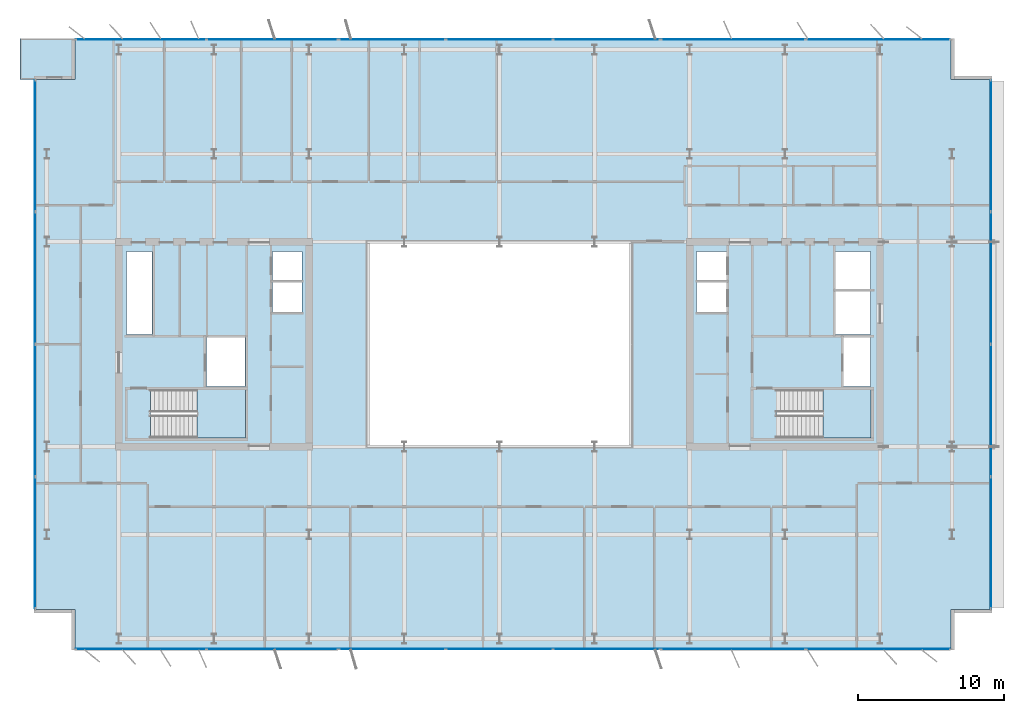
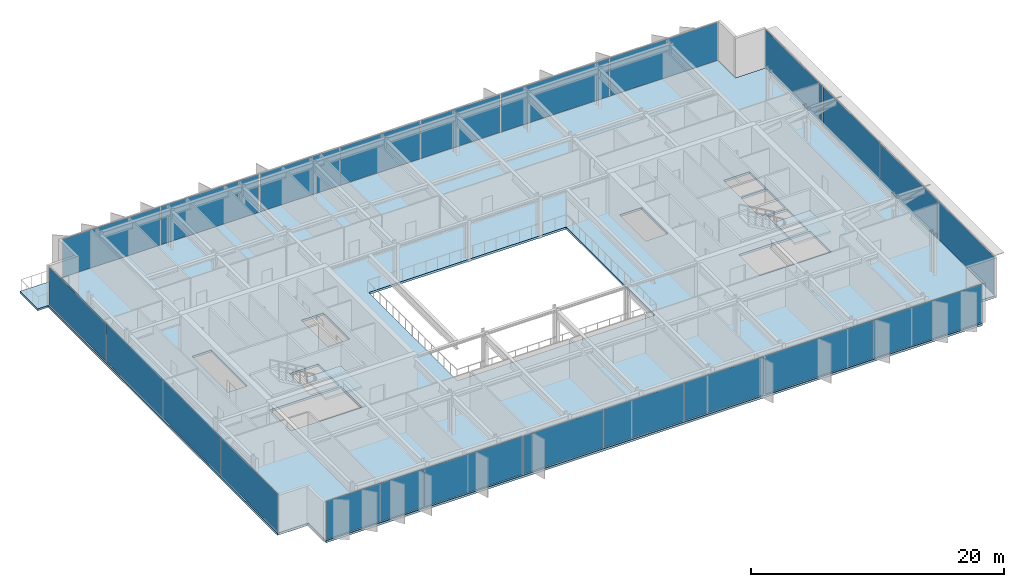
# One storey, part 11 of 20: 22 plates, 4 slabs, 10 elements without a shape of their own.
"""IFC4 building model written with IfcOpenShell, lengths in metres."""

import ifcopenshell
import ifcopenshell.guid

model = None  # the IFC model being written
_history = None  # IfcOwnerHistory: only IFC2X3 demands one
_inside = {}  # id of a spatial element -> (the spatial element, [elements in it])
_under = {}  # id of a project, library or spatial element -> (it, [spatial elements below it])
_declared = {}  # id of a project -> (the project, [libraries it declares])
_typed = {}  # id of a type object -> (the type object, [elements of that type])
_made_of = {}  # id of a material, layer set ... -> (it, [elements and type objects made of it])


def new_model(schema):
    """Start an empty IFC model of exactly this schema.

    Asked for "IFC4X3", IfcOpenShell would pick the latest addendum, in which some entities
    have other attributes; the version numbers below select the first issue.
    IFC2X3 requires an IfcOwnerHistory on every rooted entity: one is made here for all.
    """
    global model, _history
    if schema == "IFC4X3":
        model = ifcopenshell.file(schema_version=(4, 3, 0, 0))
    else:
        model = ifcopenshell.file(schema=schema)
    _inside.clear()
    _under.clear()
    _declared.clear()
    _typed.clear()
    _made_of.clear()
    _history = None
    if model.schema == "IFC2X3":
        org = make("IfcOrganization", Name="unknown")
        user = make(
            "IfcPersonAndOrganization",
            ThePerson=make("IfcPerson", FamilyName="unknown"),
            TheOrganization=org,
        )
        app = make(
            "IfcApplication",
            ApplicationDeveloper=org,
            Version="unknown",
            ApplicationFullName="unknown",
            ApplicationIdentifier="unknown",
        )
        _history = make(
            "IfcOwnerHistory",
            OwningUser=user,
            OwningApplication=app,
            ChangeAction="ADDED",
            CreationDate=0,
        )
    return model


def make(cls, **values):
    """One entity of the class cls with the attributes given. An attribute that is None is left unset."""
    return model.create_entity(
        cls, **{name: value for name, value in values.items() if value is not None}
    )


def rooted(cls, **values):
    """An entity with a GlobalId (a new one), such as an element, a storey or a relation."""
    return make(cls, GlobalId=ifcopenshell.guid.new(), OwnerHistory=_history, **values)


def si_unit(unit_type, name, prefix=None):
    """IfcSIUnit, for example si_unit("LENGTHUNIT", "METRE", prefix="MILLI")."""
    return make("IfcSIUnit", UnitType=unit_type, Prefix=prefix, Name=name)


def assignment(units):
    """IfcUnitAssignment: the units of a project."""
    return None if units is None else make("IfcUnitAssignment", Units=units)


def point(xyz):
    """IfcCartesianPoint."""
    return None if xyz is None else make("IfcCartesianPoint", Coordinates=xyz)


def direction(xyz):
    """IfcDirection."""
    return None if xyz is None else make("IfcDirection", DirectionRatios=xyz)


def frame(location, z_axis=None, x_axis=None):
    """IfcAxis2Placement3D, a coordinate frame: its origin and axes. An axis left out is left unset."""
    return make(
        "IfcAxis2Placement3D",
        Location=point(location),
        Axis=direction(z_axis),
        RefDirection=direction(x_axis),
    )


def frame_2d(location, x_axis=None):
    """IfcAxis2Placement2D, a coordinate frame in the plane: its origin and x axis."""
    return make(
        "IfcAxis2Placement2D", Location=point(location), RefDirection=direction(x_axis)
    )


def origin():
    """The frame at (0, 0, 0) with its axes left unset."""
    return frame((0.0, 0.0, 0.0))


def origin_2d():
    """The frame at (0, 0) in the plane with its x axis left unset."""
    return frame_2d((0.0, 0.0))


def place(relative_to, where):
    """IfcLocalPlacement: puts the frame where relative to a parent placement (None: the world)."""
    return make(
        "IfcLocalPlacement", PlacementRelTo=relative_to, RelativePlacement=where
    )


def context(
    kind, dimensions, precision=None, world=None, true_north=None, identifier=None
):
    """IfcGeometricRepresentationContext, for example the 3D "Model" context."""
    return make(
        "IfcGeometricRepresentationContext",
        ContextIdentifier=identifier,
        ContextType=kind,
        CoordinateSpaceDimension=dimensions,
        Precision=precision,
        WorldCoordinateSystem=world,
        TrueNorth=true_north,
    )


def subcontext(parent, identifier, kind, view, scale=None):
    """IfcGeometricRepresentationSubContext, for example "Body" below "Model"."""
    return make(
        "IfcGeometricRepresentationSubContext",
        ContextIdentifier=identifier,
        ContextType=kind,
        ParentContext=parent,
        TargetScale=scale,
        TargetView=view,
    )


def project(units=None, contexts=None):
    """IfcProject with its units and contexts."""
    return rooted(
        "IfcProject",
        Name="project",
        RepresentationContexts=contexts,
        UnitsInContext=assignment(units),
    )


def spatial(cls, under=None, at=None, **own):
    """A site, building, storey or space (cls), placed at a placement, below another one or the project."""
    s = rooted(cls, ObjectPlacement=at, **own)
    if under is not None:
        _under.setdefault(under.id(), (under, []))[1].append(s)
    return s


def polyline(points):
    """IfcPolyline through the points."""
    return make("IfcPolyline", Points=[point(p) for p in points])


def profile(cls, at=None, kind="AREA", **sizes):
    """A parametric profile (cls). Its sizes go by their IFC names, for example OverallWidth=200.0."""
    return make(cls, ProfileType=kind, Position=at, **sizes)


def rectangle(**sizes):
    """IfcRectangleProfileDef."""
    return profile("IfcRectangleProfileDef", **sizes)


def outline(outer, holes=None, kind="AREA"):
    """IfcArbitraryClosedProfileDef: a profile drawn as a closed curve; with holes, ...WithVoids."""
    if holes is None:
        return make("IfcArbitraryClosedProfileDef", ProfileType=kind, OuterCurve=outer)
    return make(
        "IfcArbitraryProfileDefWithVoids",
        ProfileType=kind,
        OuterCurve=outer,
        InnerCurves=holes,
    )


def extrude(swept, where, along, depth):
    """IfcExtrudedAreaSolid: the profile swept, set in the frame where, extruded along a direction by depth."""
    return make(
        "IfcExtrudedAreaSolid",
        SweptArea=swept,
        Position=where,
        ExtrudedDirection=direction(along),
        Depth=depth,
    )


def shape(context_of_items, identifier, shape_type, items):
    """IfcShapeRepresentation: the items that make up one representation, for example the "Body"."""
    return make(
        "IfcShapeRepresentation",
        ContextOfItems=context_of_items,
        RepresentationIdentifier=identifier,
        RepresentationType=shape_type,
        Items=items,
    )


def material(Name=None, Category=None):
    """IfcMaterial."""
    return make("IfcMaterial", Name=Name, Category=Category)


def layer(
    of_material, thickness, ventilated=None, Name=None, Category=None, Priority=None
):
    """IfcMaterialLayer: one layer of a wall or slab, of a material (None: an air gap)."""
    return make(
        "IfcMaterialLayer",
        Material=of_material,
        LayerThickness=thickness,
        IsVentilated=ventilated,
        Name=Name,
        Category=Category,
        Priority=Priority,
    )


def layer_set(layers, Name=None):
    """IfcMaterialLayerSet."""
    return make("IfcMaterialLayerSet", MaterialLayers=layers, LayerSetName=Name)


def made_of(thing, what):
    """Note that an element or type object is made of a material, layer set ...; save() writes the relation."""
    if what is not None:
        _made_of.setdefault(what.id(), (what, []))[1].append(thing)
    return thing


def type_object(cls, material=None, **own):
    """A type object (cls), such as IfcWallType, which elements share."""
    return made_of(rooted(cls, **own), material)


def element(
    cls,
    number,
    at=None,
    inside=None,
    cuts=None,
    type_object=None,
    material=None,
    context=None,
    identifier="Body",
    shape_type=None,
    held_by="IfcProductDefinitionShape",
    body=None,
    shapes=None,
    **own,
):
    """One element of the class cls, such as IfcWall. Its Tag is "e" and its number.

    at: its placement. inside: the storey or other place that contains it. cuts: it is an
    opening in that element (IfcRelVoidsElement). A single representation is given by context,
    identifier, shape_type and body (its items); several are given by shapes. held_by: the class
    of the entity that holds the representations. save() writes the other relations.
    """
    e = rooted(cls, Tag="e%d" % number, ObjectPlacement=at, **own)
    if body is not None:
        shapes = [shape(context, identifier, shape_type, body)]
    if shapes is not None:
        e.Representation = make(held_by, Representations=shapes)
    if inside is not None:
        _inside.setdefault(inside.id(), (inside, []))[1].append(e)
    if cuts is not None:
        rooted(
            "IfcRelVoidsElement", RelatingBuildingElement=cuts, RelatedOpeningElement=e
        )
    if type_object is not None:
        _typed.setdefault(type_object.id(), (type_object, []))[1].append(e)
    return made_of(e, material)


def aggregate(whole, parts):
    """IfcRelAggregates: a whole, such as a stair, and the parts it consists of."""
    return rooted("IfcRelAggregates", RelatingObject=whole, RelatedObjects=parts)


def save(model, path):
    """Write the relations noted so far, then the file.

    IfcRelAggregates (storeys below a building ...), IfcRelContainedInSpatialStructure (elements
    in a storey), IfcRelDefinesByType, IfcRelAssociatesMaterial and IfcRelDeclares: one each for
    every whole, place, type object, material and project.
    """
    for whole, parts in _under.values():
        aggregate(whole, parts)
    for where, things in _inside.values():
        rooted(
            "IfcRelContainedInSpatialStructure",
            RelatedElements=things,
            RelatingStructure=where,
        )
    for kind, things in _typed.values():
        rooted("IfcRelDefinesByType", RelatedObjects=things, RelatingType=kind)
    for what, things in _made_of.values():
        rooted("IfcRelAssociatesMaterial", RelatedObjects=things, RelatingMaterial=what)
    for by, libraries in _declared.values():
        rooted("IfcRelDeclares", RelatingContext=by, RelatedDefinitions=libraries)
    model.write(path)


model = new_model("IFC4")

# Units and contexts
model_context = context("Model", 3, precision=1e-05, world=origin(), true_north=direction((0.0, 1.0)))
body_context = subcontext(model_context, "Body", "Model", "MODEL_VIEW")
ifc_project = project(units=[si_unit("LENGTHUNIT", "METRE"), si_unit("AREAUNIT", "SQUARE_METRE"), si_unit("VOLUMEUNIT", "CUBIC_METRE"), si_unit("PLANEANGLEUNIT", "RADIAN"), si_unit("MASSUNIT", "GRAM", prefix="KILO")], contexts=[model_context])

# Site, building, storey
site_placement = place(None, origin())
site = spatial("IfcSite", under=ifc_project, at=site_placement, CompositionType="ELEMENT")
building_placement = place(site_placement, origin())
building = spatial("IfcBuilding", under=site, at=building_placement, Name="Putna Gate Headquarters", CompositionType="ELEMENT")
storey_placement = place(building_placement, frame((0.0, 0.0, 282.39990234375)))
storey = spatial("IfcBuildingStorey", under=building, at=storey_placement, Name="L71", CompositionType="ELEMENT", Elevation=282.39990234375)

# Stair, slab
ifc_material_1 = material(Name="Concrete C40/50", Category="concrete")
stair_type_1 = type_object("IfcStairType", Name="STAIR-ST1", PredefinedType="HALF_TURN_STAIR", material=ifc_material_1)
stair_1_placement = place(storey_placement, origin())
stair_1 = element("IfcStair", 1, at=stair_1_placement, inside=storey, type_object=stair_type_1, Name="L71 West Core Exit Stair ST1", PredefinedType="HALF_TURN_STAIR")
ifc_layer_1 = layer(ifc_material_1, 0.199951171875)
ifc_layer_set_1 = layer_set([ifc_layer_1], Name="Concrete C40/50")
slab_type_1 = type_object("IfcSlabType", Name="LANDING-ST1", PredefinedType="LANDING", material=ifc_layer_set_1)
slab_1_placement = place(storey_placement, frame((0.0, 0.0, 1.800048828125)))
slab_1 = element("IfcSlab", 2, at=slab_1_placement, type_object=slab_type_1, Name="ST1 landing 1", PredefinedType="LANDING", context=body_context, shape_type="SweptSolid", body=[
    extrude(outline(polyline([(18.340087890625, 19.60009765625), (21.64990234375, 19.60009765625), (21.64990234375, 22.89990234375), (18.340087890625, 22.89990234375), (18.340087890625, 19.60009765625)])), origin(), (0.0, 0.0, 1.0), 0.199951171875),
])
aggregate(stair_1, [slab_1])

stair_type_2 = type_object("IfcStairType", Name="STAIR-ST2", PredefinedType="HALF_TURN_STAIR", material=ifc_material_1)
stair_2_placement = place(storey_placement, origin())
stair_2 = element("IfcStair", 3, at=stair_2_placement, inside=storey, type_object=stair_type_2, Name="L71 East Core Exit Stair ST2", PredefinedType="HALF_TURN_STAIR")
ifc_layer_2 = layer(ifc_material_1, 0.199951171875)
ifc_layer_set_2 = layer_set([ifc_layer_2], Name="Concrete C40/50")
slab_type_2 = type_object("IfcSlabType", Name="LANDING-ST2", PredefinedType="LANDING", material=ifc_layer_set_2)
slab_2_placement = place(storey_placement, frame((0.0, 0.0, 1.800048828125)))
slab_2 = element("IfcSlab", 4, at=slab_2_placement, type_object=slab_type_2, Name="ST2 landing 1", PredefinedType="LANDING", context=body_context, shape_type="SweptSolid", body=[
    extrude(outline(polyline([(61.090087890625, 19.60009765625), (64.39990234375, 19.60009765625), (64.39990234375, 22.89990234375), (61.090087890625, 22.89990234375), (61.090087890625, 19.60009765625)])), origin(), (0.0, 0.0, 1.0), 0.199951171875),
])
aggregate(stair_2, [slab_2])

# Curtain wall, plates
ifc_material_2 = material(Name="Anodised bronze aluminium curtain wall", Category="aluminium")
ifc_layer_3 = layer(ifc_material_2, 0.179931640625)
ifc_layer_set_3 = layer_set([ifc_layer_3], Name="Anodised bronze aluminium curtain wall")
curtain_wall_type_1 = type_object("IfcCurtainWallType", Name="CW-SYS-Z5", PredefinedType="USERDEFINED", material=ifc_layer_set_3)
curtain_wall_1_placement = place(storey_placement, origin())
curtain_wall_1 = element("IfcCurtainWall", 5, at=curtain_wall_1_placement, inside=storey, type_object=curtain_wall_type_1, Name="L71 South West Curtain Wall", ObjectType="STICK CURTAIN WALL", PredefinedType="USERDEFINED")
ifc_material_3 = material(Name="Solar-control triple low-E glass", Category="glass")
ifc_layer_4 = layer(ifc_material_3, 0.033935546875)
ifc_layer_set_4 = layer_set([ifc_layer_4], Name="Solar-control triple low-E glass")
plate_type_1 = type_object("IfcPlateType", Name="PAN-CWP-5", PredefinedType="CURTAIN_PANEL", material=ifc_layer_set_4)
plate_1_placement = place(storey_placement, frame((14.517578125, 5.179931640625, 0.06005859375), z_axis=(0.0, 0.0, 1.0), x_axis=(1.0, 0.0, 0.0)))
plate_1 = element("IfcPlate", 6, at=plate_1_placement, type_object=plate_type_1, Name="CWS-5 panel 1.1", PredefinedType="CURTAIN_PANEL", context=body_context, shape_type="SweptSolid", body=[
    extrude(rectangle(XDim=8.89501953125, YDim=0.033935546875, at=origin_2d()), origin(), (0.0, 0.0, 1.0), 3.66796875),
])
plate_2_placement = place(storey_placement, frame((23.482421875, 5.179931640625, 0.06005859375), z_axis=(0.0, 0.0, 1.0), x_axis=(1.0, 0.0, 0.0)))
plate_2 = element("IfcPlate", 7, at=plate_2_placement, type_object=plate_type_1, Name="CWS-5 panel 2.1", PredefinedType="CURTAIN_PANEL", context=body_context, shape_type="SweptSolid", body=[
    extrude(rectangle(XDim=8.89501953125, YDim=0.033935546875, at=origin_2d()), origin(), (0.0, 0.0, 1.0), 3.66796875),
])
aggregate(curtain_wall_1, [plate_1, plate_2])

curtain_wall_2_placement = place(storey_placement, origin())
curtain_wall_2 = element("IfcCurtainWall", 8, at=curtain_wall_2_placement, inside=storey, type_object=curtain_wall_type_1, Name="L71 South East Curtain Wall", ObjectType="STICK CURTAIN WALL", PredefinedType="USERDEFINED")
plate_3_placement = place(storey_placement, frame((54.979736328125, 5.179931640625, 0.06005859375), z_axis=(0.0, 0.0, 1.0), x_axis=(1.0, 0.0, 0.0)))
plate_3 = element("IfcPlate", 9, at=plate_3_placement, type_object=plate_type_1, Name="CWS-5 panel 1.1", PredefinedType="CURTAIN_PANEL", context=body_context, shape_type="SweptSolid", body=[
    extrude(rectangle(XDim=9.8193359375, YDim=0.033935546875, at=origin_2d()), origin(), (0.0, 0.0, 1.0), 3.66796875),
])
plate_4_placement = place(storey_placement, frame((64.869140625, 5.179931640625, 0.06005859375), z_axis=(0.0, 0.0, 1.0), x_axis=(1.0, 0.0, 0.0)))
plate_4 = element("IfcPlate", 10, at=plate_4_placement, type_object=plate_type_1, Name="CWS-5 panel 2.1", PredefinedType="CURTAIN_PANEL", context=body_context, shape_type="SweptSolid", body=[
    extrude(rectangle(XDim=9.8193359375, YDim=0.033935546875, at=origin_2d()), origin(), (0.0, 0.0, 1.0), 3.66796875),
])
aggregate(curtain_wall_2, [plate_3, plate_4])

curtain_wall_3_placement = place(storey_placement, origin())
curtain_wall_3 = element("IfcCurtainWall", 11, at=curtain_wall_3_placement, inside=storey, type_object=curtain_wall_type_1, Name="L71 North West Curtain Wall", ObjectType="STICK CURTAIN WALL", PredefinedType="USERDEFINED")
plate_5_placement = place(storey_placement, frame((14.517578125, 46.820068359375, 0.06005859375), z_axis=(0.0, 0.0, 1.0), x_axis=(1.0, 0.0, 0.0)))
plate_5 = element("IfcPlate", 12, at=plate_5_placement, type_object=plate_type_1, Name="CWS-5 panel 1.1", PredefinedType="CURTAIN_PANEL", context=body_context, shape_type="SweptSolid", body=[
    extrude(rectangle(XDim=8.89501953125, YDim=0.033935546875, at=origin_2d()), origin(), (0.0, 0.0, 1.0), 3.66796875),
])
plate_6_placement = place(storey_placement, frame((23.482421875, 46.820068359375, 0.06005859375), z_axis=(0.0, 0.0, 1.0), x_axis=(1.0, 0.0, 0.0)))
plate_6 = element("IfcPlate", 13, at=plate_6_placement, type_object=plate_type_1, Name="CWS-5 panel 2.1", PredefinedType="CURTAIN_PANEL", context=body_context, shape_type="SweptSolid", body=[
    extrude(rectangle(XDim=8.89501953125, YDim=0.033935546875, at=origin_2d()), origin(), (0.0, 0.0, 1.0), 3.66796875),
])
aggregate(curtain_wall_3, [plate_5, plate_6])

curtain_wall_4_placement = place(storey_placement, origin())
curtain_wall_4 = element("IfcCurtainWall", 14, at=curtain_wall_4_placement, inside=storey, type_object=curtain_wall_type_1, Name="L71 North East Curtain Wall", ObjectType="STICK CURTAIN WALL", PredefinedType="USERDEFINED")
plate_7_placement = place(storey_placement, frame((54.979736328125, 46.820068359375, 0.06005859375), z_axis=(0.0, 0.0, 1.0), x_axis=(1.0, 0.0, 0.0)))
plate_7 = element("IfcPlate", 15, at=plate_7_placement, type_object=plate_type_1, Name="CWS-5 panel 1.1", PredefinedType="CURTAIN_PANEL", context=body_context, shape_type="SweptSolid", body=[
    extrude(rectangle(XDim=9.8193359375, YDim=0.033935546875, at=origin_2d()), origin(), (0.0, 0.0, 1.0), 3.66796875),
])
plate_8_placement = place(storey_placement, frame((64.869140625, 46.820068359375, 0.06005859375), z_axis=(0.0, 0.0, 1.0), x_axis=(1.0, 0.0, 0.0)))
plate_8 = element("IfcPlate", 16, at=plate_8_placement, type_object=plate_type_1, Name="CWS-5 panel 2.1", PredefinedType="CURTAIN_PANEL", context=body_context, shape_type="SweptSolid", body=[
    extrude(rectangle(XDim=9.8193359375, YDim=0.033935546875, at=origin_2d()), origin(), (0.0, 0.0, 1.0), 3.66796875),
])
aggregate(curtain_wall_4, [plate_7, plate_8])

curtain_wall_5_placement = place(storey_placement, origin())
curtain_wall_5 = element("IfcCurtainWall", 17, at=curtain_wall_5_placement, inside=storey, type_object=curtain_wall_type_1, Name="L71 West Curtain Wall", ObjectType="STICK CURTAIN WALL", PredefinedType="USERDEFINED")
plate_9_placement = place(storey_placement, frame((7.280029296875, 12.4423828125, 0.06005859375), z_axis=(0.0, 0.0, 1.0), x_axis=(0.0, 1.0, 0.0)))
plate_9 = element("IfcPlate", 18, at=plate_9_placement, type_object=plate_type_1, Name="CWS-5 panel 1.1", PredefinedType="CURTAIN_PANEL", context=body_context, shape_type="SweptSolid", body=[
    extrude(rectangle(XDim=8.945068359375, YDim=0.033935546875, at=origin_2d()), origin(), (0.0, 0.0, 1.0), 3.66796875),
])
plate_10_placement = place(storey_placement, frame((7.280029296875, 21.47509765625, 0.06005859375), z_axis=(0.0, 0.0, 1.0), x_axis=(0.0, 1.0, 0.0)))
plate_10 = element("IfcPlate", 19, at=plate_10_placement, type_object=plate_type_1, Name="CWS-5 panel 2.1", PredefinedType="CURTAIN_PANEL", context=body_context, shape_type="SweptSolid", body=[
    extrude(rectangle(XDim=8.97998046875, YDim=0.033935546875, at=origin_2d()), origin(), (0.0, 0.0, 1.0), 3.66796875),
])
plate_11_placement = place(storey_placement, frame((7.280029296875, 30.52490234375, 0.06005859375), z_axis=(0.0, 0.0, 1.0), x_axis=(0.0, 1.0, 0.0)))
plate_11 = element("IfcPlate", 20, at=plate_11_placement, type_object=plate_type_1, Name="CWS-5 panel 3.1", PredefinedType="CURTAIN_PANEL", context=body_context, shape_type="SweptSolid", body=[
    extrude(rectangle(XDim=8.97998046875, YDim=0.033935546875, at=origin_2d()), origin(), (0.0, 0.0, 1.0), 3.66796875),
])
plate_12_placement = place(storey_placement, frame((7.280029296875, 39.5576171875, 0.06005859375), z_axis=(0.0, 0.0, 1.0), x_axis=(0.0, 1.0, 0.0)))
plate_12 = element("IfcPlate", 21, at=plate_12_placement, type_object=plate_type_1, Name="CWS-5 panel 4.1", PredefinedType="CURTAIN_PANEL", context=body_context, shape_type="SweptSolid", body=[
    extrude(rectangle(XDim=8.945068359375, YDim=0.033935546875, at=origin_2d()), origin(), (0.0, 0.0, 1.0), 3.66796875),
])
aggregate(curtain_wall_5, [plate_9, plate_10, plate_11, plate_12])

curtain_wall_6_placement = place(storey_placement, origin())
curtain_wall_6 = element("IfcCurtainWall", 22, at=curtain_wall_6_placement, inside=storey, type_object=curtain_wall_type_1, Name="L71 East Curtain Wall", ObjectType="STICK CURTAIN WALL", PredefinedType="USERDEFINED")
plate_13_placement = place(storey_placement, frame((72.56884765625, 12.4423828125, 0.06005859375), z_axis=(0.0, 0.0, 1.0), x_axis=(0.0, 1.0, 0.0)))
plate_13 = element("IfcPlate", 23, at=plate_13_placement, type_object=plate_type_1, Name="CWS-5 panel 1.1", PredefinedType="CURTAIN_PANEL", context=body_context, shape_type="SweptSolid", body=[
    extrude(rectangle(XDim=8.945068359375, YDim=0.033935546875, at=origin_2d()), origin(), (0.0, 0.0, 1.0), 3.66796875),
])
plate_14_placement = place(storey_placement, frame((72.56884765625, 21.47509765625, 0.06005859375), z_axis=(0.0, 0.0, 1.0), x_axis=(0.0, 1.0, 0.0)))
plate_14 = element("IfcPlate", 24, at=plate_14_placement, type_object=plate_type_1, Name="CWS-5 panel 2.1", PredefinedType="CURTAIN_PANEL", context=body_context, shape_type="SweptSolid", body=[
    extrude(rectangle(XDim=8.97998046875, YDim=0.033935546875, at=origin_2d()), origin(), (0.0, 0.0, 1.0), 3.66796875),
])
plate_15_placement = place(storey_placement, frame((72.56884765625, 30.52490234375, 0.06005859375), z_axis=(0.0, 0.0, 1.0), x_axis=(0.0, 1.0, 0.0)))
plate_15 = element("IfcPlate", 25, at=plate_15_placement, type_object=plate_type_1, Name="CWS-5 panel 3.1", PredefinedType="CURTAIN_PANEL", context=body_context, shape_type="SweptSolid", body=[
    extrude(rectangle(XDim=8.97998046875, YDim=0.033935546875, at=origin_2d()), origin(), (0.0, 0.0, 1.0), 3.66796875),
])
plate_16_placement = place(storey_placement, frame((72.56884765625, 39.5576171875, 0.06005859375), z_axis=(0.0, 0.0, 1.0), x_axis=(0.0, 1.0, 0.0)))
plate_16 = element("IfcPlate", 26, at=plate_16_placement, type_object=plate_type_1, Name="CWS-5 panel 4.1", PredefinedType="CURTAIN_PANEL", context=body_context, shape_type="SweptSolid", body=[
    extrude(rectangle(XDim=8.945068359375, YDim=0.033935546875, at=origin_2d()), origin(), (0.0, 0.0, 1.0), 3.66796875),
])
aggregate(curtain_wall_6, [plate_13, plate_14, plate_15, plate_16])

ifc_layer_5 = layer(ifc_material_2, 0.179931640625)
ifc_layer_set_5 = layer_set([ifc_layer_5], Name="Anodised bronze aluminium curtain wall")
curtain_wall_type_2 = type_object("IfcCurtainWallType", Name="CW-SYS-ATR", PredefinedType="USERDEFINED", material=ifc_layer_set_5)
curtain_wall_7_placement = place(storey_placement, origin())
curtain_wall_7 = element("IfcCurtainWall", 27, at=curtain_wall_7_placement, inside=storey, type_object=curtain_wall_type_2, Name="L71 South Atrium Clear Glazing", ObjectType="ATRIUM GLAZING", PredefinedType="USERDEFINED")
ifc_material_4 = material(Name="Clear low-iron triple glazing", Category="glass")
ifc_layer_6 = layer(ifc_material_4, 0.0400390625)
ifc_layer_set_6 = layer_set([ifc_layer_6], Name="Clear low-iron triple glazing")
plate_type_2 = type_object("IfcPlateType", Name="PAN-CWP-AT", PredefinedType="CURTAIN_PANEL", material=ifc_layer_set_6)
plate_17_placement = place(storey_placement, frame((31.68408203125, 5.179931640625, 0.070068359375), z_axis=(0.0, 0.0, 1.0), x_axis=(1.0, 0.0, 0.0)))
plate_17 = element("IfcPlate", 28, at=plate_17_placement, type_object=plate_type_2, Name="CWS-AT panel 1.1", PredefinedType="CURTAIN_PANEL", context=body_context, shape_type="SweptSolid", body=[
    extrude(rectangle(XDim=7.228271484375, YDim=0.0400390625, at=origin_2d()), origin(), (0.0, 0.0, 1.0), 3.64794921875),
])
plate_18_placement = place(storey_placement, frame((39.0, 5.179931640625, 0.070068359375), z_axis=(0.0, 0.0, 1.0), x_axis=(1.0, 0.0, 0.0)))
plate_18 = element("IfcPlate", 29, at=plate_18_placement, type_object=plate_type_2, Name="CWS-AT panel 2.1", PredefinedType="CURTAIN_PANEL", context=body_context, shape_type="SweptSolid", body=[
    extrude(rectangle(XDim=7.263427734375, YDim=0.0400390625, at=origin_2d()), origin(), (0.0, 0.0, 1.0), 3.64794921875),
])
plate_19_placement = place(storey_placement, frame((46.31591796875, 5.179931640625, 0.070068359375), z_axis=(0.0, 0.0, 1.0), x_axis=(1.0, 0.0, 0.0)))
plate_19 = element("IfcPlate", 30, at=plate_19_placement, type_object=plate_type_2, Name="CWS-AT panel 3.1", PredefinedType="CURTAIN_PANEL", context=body_context, shape_type="SweptSolid", body=[
    extrude(rectangle(XDim=7.228271484375, YDim=0.0400390625, at=origin_2d()), origin(), (0.0, 0.0, 1.0), 3.64794921875),
])
aggregate(curtain_wall_7, [plate_17, plate_18, plate_19])

curtain_wall_8_placement = place(storey_placement, origin())
curtain_wall_8 = element("IfcCurtainWall", 31, at=curtain_wall_8_placement, inside=storey, type_object=curtain_wall_type_2, Name="L71 North Atrium Clear Glazing", ObjectType="ATRIUM GLAZING", PredefinedType="USERDEFINED")
plate_20_placement = place(storey_placement, frame((31.68408203125, 46.820068359375, 0.070068359375), z_axis=(0.0, 0.0, 1.0), x_axis=(1.0, 0.0, 0.0)))
plate_20 = element("IfcPlate", 32, at=plate_20_placement, type_object=plate_type_2, Name="CWS-AT panel 1.1", PredefinedType="CURTAIN_PANEL", context=body_context, shape_type="SweptSolid", body=[
    extrude(rectangle(XDim=7.228271484375, YDim=0.0400390625, at=origin_2d()), origin(), (0.0, 0.0, 1.0), 3.64794921875),
])
plate_21_placement = place(storey_placement, frame((39.0, 46.820068359375, 0.070068359375), z_axis=(0.0, 0.0, 1.0), x_axis=(1.0, 0.0, 0.0)))
plate_21 = element("IfcPlate", 33, at=plate_21_placement, type_object=plate_type_2, Name="CWS-AT panel 2.1", PredefinedType="CURTAIN_PANEL", context=body_context, shape_type="SweptSolid", body=[
    extrude(rectangle(XDim=7.263427734375, YDim=0.0400390625, at=origin_2d()), origin(), (0.0, 0.0, 1.0), 3.64794921875),
])
plate_22_placement = place(storey_placement, frame((46.31591796875, 46.820068359375, 0.070068359375), z_axis=(0.0, 0.0, 1.0), x_axis=(1.0, 0.0, 0.0)))
plate_22 = element("IfcPlate", 34, at=plate_22_placement, type_object=plate_type_2, Name="CWS-AT panel 3.1", PredefinedType="CURTAIN_PANEL", context=body_context, shape_type="SweptSolid", body=[
    extrude(rectangle(XDim=7.228271484375, YDim=0.0400390625, at=origin_2d()), origin(), (0.0, 0.0, 1.0), 3.64794921875),
])
aggregate(curtain_wall_8, [plate_20, plate_21, plate_22])

# Slabs
ifc_layer_7 = layer(ifc_material_1, 0.179931640625)
ifc_layer_set_7 = layer_set([ifc_layer_7], Name="Concrete C40/50")
slab_type_3 = type_object("IfcSlabType", Name="SLAB-TERRACE-180", PredefinedType="FLOOR", material=ifc_layer_set_7)
slab_3_placement = place(storey_placement, frame((0.0, 0.0, -0.179931640625)))
element("IfcSlab", 35, at=slab_3_placement, inside=storey, type_object=slab_type_3, Name="L71 Spiral Sky-Garden Terrace Slab (NW)", PredefinedType="FLOOR", context=body_context, shape_type="SweptSolid", body=[
    extrude(outline(polyline([(6.25, 44.092041015625), (10.008056640625, 44.092041015625), (10.008056640625, 46.89990234375), (6.25, 46.89990234375), (6.25, 44.092041015625)])), origin(), (0.0, 0.0, 1.0), 0.179931640625),
])
ifc_layer_8 = layer(ifc_material_1, 0.2119140625)
ifc_layer_set_8 = layer_set([ifc_layer_8], Name="Concrete C40/50")
slab_type_4 = type_object("IfcSlabType", Name="SLAB-Z5-212", PredefinedType="FLOOR", material=ifc_layer_set_8)
slab_4_placement = place(storey_placement, frame((0.0, 0.0, -0.2119140625)))
element("IfcSlab", 36, at=slab_4_placement, inside=storey, type_object=slab_type_4, Name="L71 Composite Floor Slab", PredefinedType="FLOOR", context=body_context, shape_type="SweptSolid", body=[
    extrude(outline(polyline([(10.0, 5.10009765625), (69.848876953125, 5.10009765625), (69.848876953125, 7.89990234375), (72.64892578125, 7.89990234375), (72.64892578125, 44.10009765625), (69.848876953125, 44.10009765625), (69.848876953125, 46.89990234375), (10.0, 46.89990234375), (10.0, 44.10009765625), (7.199951171875, 44.10009765625), (7.199951171875, 7.89990234375), (10.0, 7.89990234375), (10.0, 5.10009765625)]), holes=[polyline([(15.1650390625, 19.60009765625), (21.64990234375, 19.60009765625), (21.64990234375, 22.89990234375), (15.1650390625, 22.89990234375), (15.1650390625, 19.60009765625)]), polyline([(57.9150390625, 19.60009765625), (64.39990234375, 19.60009765625), (64.39990234375, 22.89990234375), (57.9150390625, 22.89990234375), (57.9150390625, 19.60009765625)]), polyline([(13.52001953125, 26.659912109375), (15.280029296875, 26.659912109375), (15.280029296875, 32.35009765625), (13.52001953125, 32.35009765625), (13.52001953125, 26.659912109375)]), polyline([(61.969970703125, 29.780029296875), (64.35009765625, 29.780029296875), (64.35009765625, 32.35009765625), (61.969970703125, 32.35009765625), (61.969970703125, 29.780029296875)]), polyline([(18.97998046875, 23.1201171875), (21.6201171875, 23.1201171875), (21.6201171875, 26.4599609375), (18.97998046875, 26.4599609375), (18.97998046875, 23.1201171875)]), polyline([(62.52001953125, 23.1201171875), (64.35009765625, 23.1201171875), (64.35009765625, 26.4599609375), (62.52001953125, 26.4599609375), (62.52001953125, 23.1201171875)]), polyline([(61.969970703125, 26.659912109375), (64.35009765625, 26.659912109375), (64.35009765625, 29.6201171875), (61.969970703125, 29.6201171875), (61.969970703125, 26.659912109375)]), polyline([(23.5, 28.199951171875), (25.5, 28.199951171875), (25.5, 32.35009765625), (23.5, 32.35009765625), (23.5, 28.199951171875)]), polyline([(52.47998046875, 28.199951171875), (54.5, 28.199951171875), (54.5, 32.35009765625), (52.47998046875, 32.35009765625), (52.47998046875, 28.199951171875)]), polyline([(30.0, 19.0), (48.0, 19.0), (48.0, 33.0), (30.0, 33.0), (30.0, 19.0)])]), origin(), (0.0, 0.0, 1.0), 0.2119140625),
])

save(model, "model.ifc")
